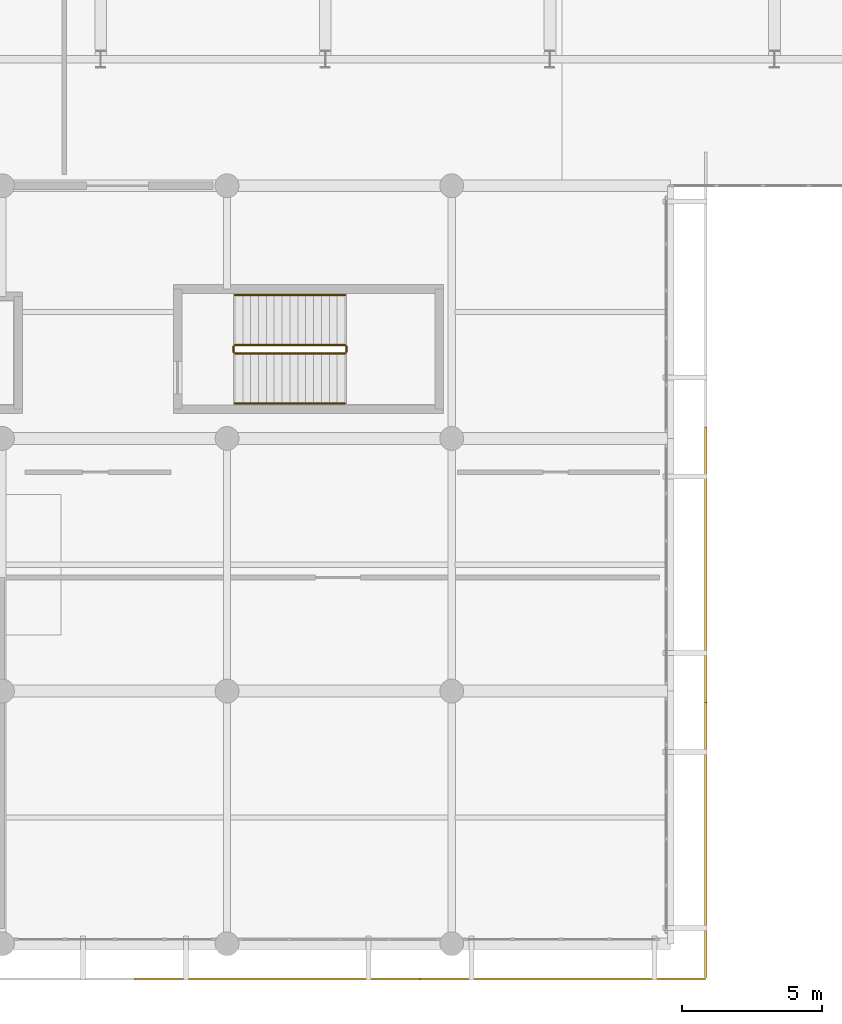
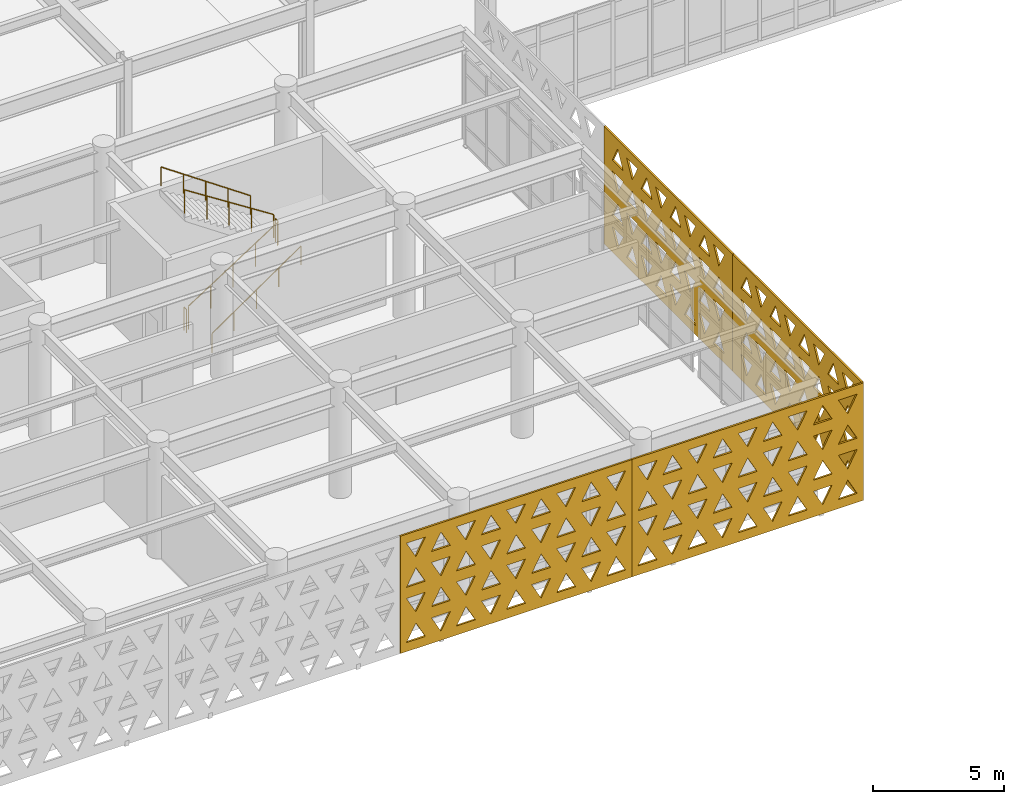
# One storey, part 78 of 84: 6 railings, 4 coverings.
"""IFC4 building model written with IfcOpenShell, lengths in metres."""

from ifc_helpers import new_model, si_unit, direction, frame, origin, origin_2d, place, context, subcontext, project, spatial, polyline, circle, outline, extrude, material, layer, layer_set, type_object, element, save


model = new_model("IFC4")

# Units and contexts
model_context = context("Model", 3, precision=1e-05, world=origin(), true_north=direction((0.0, 1.0)))
body_context = subcontext(model_context, "Body", "Model", "MODEL_VIEW")
ifc_project = project(units=[si_unit("LENGTHUNIT", "METRE"), si_unit("AREAUNIT", "SQUARE_METRE"), si_unit("VOLUMEUNIT", "CUBIC_METRE"), si_unit("PLANEANGLEUNIT", "RADIAN"), si_unit("MASSUNIT", "GRAM", prefix="KILO")], contexts=[model_context])

# Site, building, storey
site_placement = place(None, origin())
site = spatial("IfcSite", under=ifc_project, at=site_placement, CompositionType="ELEMENT")
building_placement = place(site_placement, origin())
building = spatial("IfcBuilding", under=site, at=building_placement, Name="Tlacozan Convention Centre", CompositionType="ELEMENT")
storey_placement = place(building_placement, frame((0.0, 0.0, 6.0)))
storey = spatial("IfcBuildingStorey", under=building, at=storey_placement, Name="L01", CompositionType="ELEMENT", Elevation=6.0)

# Railings
ifc_material_1 = material(Name="Architectural Painted Galvanised Steel Railing", Category="steel")
railing_type_1 = type_object("IfcRailingType", Name="Stair Wall Handrail 900", PredefinedType="HANDRAIL", material=ifc_material_1)
railing_1_placement = place(storey_placement, frame((104.280029296875, 19.25, 0.179931640625)))
element("IfcRailing", 1, at=railing_1_placement, inside=storey, type_object=railing_type_1, Name="L01 ST-05 stair handrail 1", PredefinedType="HANDRAIL", context=body_context, shape_type="SweptSolid", body=[
    extrude(circle(Radius=0.02392578125, at=origin_2d()), frame((0.0, 0.0, 0.8759765625), z_axis=(0.823550731654, 0.0, 0.567242622158), x_axis=(0.0, 1.0, 0.0)), (0.0, 0.0, 1.0), 4.759765625),
    extrude(circle(Radius=0.02099609375, at=origin_2d()), origin(), (0.0, 0.0, 1.0), 0.851806640625),
    extrude(circle(Radius=0.02099609375, at=origin_2d()), frame((0.97998046875, 0.0, 0.675048828125)), (0.0, 0.0, 1.0), 0.851806640625),
    extrude(circle(Radius=0.02099609375, at=origin_2d()), frame((1.9599609375, 0.0, 1.35009765625)), (0.0, 0.0, 1.0), 0.851806640625),
    extrude(circle(Radius=0.02099609375, at=origin_2d()), frame((2.93994140625, 0.0, 2.02490234375)), (0.0, 0.0, 1.0), 0.851806640625),
    extrude(circle(Radius=0.02099609375, at=origin_2d()), frame((3.919921875, 0.0, 2.699951171875)), (0.0, 0.0, 1.0), 0.851806640625),
])
railing_2_placement = place(storey_placement, frame((108.199951171875, 23.110107421875, 2.8798828125)))
element("IfcRailing", 2, at=railing_2_placement, inside=storey, type_object=railing_type_1, Name="L01 ST-05 stair handrail 2", PredefinedType="HANDRAIL", context=body_context, shape_type="SweptSolid", body=[
    extrude(circle(Radius=0.02392578125, at=origin_2d()), frame((0.0, 0.0, 0.8759765625), z_axis=(-0.823526770215, 0.0, 0.56727740898), x_axis=(0.0, -1.0, 0.0)), (0.0, 0.0, 1.0), 4.760009765625),
    extrude(circle(Radius=0.02099609375, at=origin_2d()), origin(), (0.0, 0.0, 1.0), 0.851806640625),
    extrude(circle(Radius=0.02099609375, at=origin_2d()), frame((-0.97998046875, 0.0, 0.675048828125)), (0.0, 0.0, 1.0), 0.851806640625),
    extrude(circle(Radius=0.02099609375, at=origin_2d()), frame((-1.9599609375, 0.0, 1.35009765625)), (0.0, 0.0, 1.0), 0.851806640625),
    extrude(circle(Radius=0.02099609375, at=origin_2d()), frame((-2.93994140625, 0.0, 2.025146484375)), (0.0, 0.0, 1.0), 0.851806640625),
    extrude(circle(Radius=0.02099609375, at=origin_2d()), frame((-3.919921875, 0.0, 2.7001953125)), (0.0, 0.0, 1.0), 0.851806640625),
])
railing_type_2 = type_object("IfcRailingType", Name="Stair Well Guardrail 1100", PredefinedType="GUARDRAIL", material=ifc_material_1)
railing_3_placement = place(storey_placement, frame((104.280029296875, 21.030029296875, 0.179931640625)))
element("IfcRailing", 3, at=railing_3_placement, inside=storey, type_object=railing_type_2, Name="L01 ST-05 stair guard 1", PredefinedType="GUARDRAIL", context=body_context, shape_type="SweptSolid", body=[
    extrude(circle(Radius=0.02392578125, at=origin_2d()), frame((0.0, 0.0, 1.076171875), z_axis=(0.841171666519, 0.0, 0.540768182723), x_axis=(0.0, 1.0, 0.0)), (0.0, 0.0, 1.0), 4.66015625),
    extrude(circle(Radius=0.02099609375, at=origin_2d()), origin(), (0.0, 0.0, 1.0), 1.052001953125),
    extrude(circle(Radius=0.02099609375, at=origin_2d()), frame((0.97998046875, 0.0, 0.6298828125)), (0.0, 0.0, 1.0), 1.052001953125),
    extrude(circle(Radius=0.02099609375, at=origin_2d()), frame((1.9599609375, 0.0, 1.260009765625)), (0.0, 0.0, 1.0), 1.052001953125),
    extrude(circle(Radius=0.02099609375, at=origin_2d()), frame((2.93994140625, 0.0, 1.89013671875)), (0.0, 0.0, 1.0), 1.052001953125),
    extrude(circle(Radius=0.02099609375, at=origin_2d()), frame((3.919921875, 0.0, 2.52001953125)), (0.0, 0.0, 1.0), 1.052001953125),
])
railing_4_placement = place(storey_placement, frame((108.25, 21.080078125, 2.699951171875)))
element("IfcRailing", 4, at=railing_4_placement, inside=storey, type_object=railing_type_2, Name="L01 ST-05 stair guard 2", PredefinedType="GUARDRAIL", context=body_context, shape_type="SweptSolid", body=[
    extrude(circle(Radius=0.02392578125, at=origin_2d()), frame((0.0, 0.0, 1.076171875), z_axis=(0.0, 1.0, 0.0), x_axis=(-1.0, 0.0, 0.0)), (0.0, 0.0, 1.0), 0.199951171875),
    extrude(circle(Radius=0.02099609375, at=origin_2d()), origin(), (0.0, 0.0, 1.0), 1.052001953125),
    extrude(circle(Radius=0.02099609375, at=origin_2d()), frame((0.0, 0.199951171875, 0.0)), (0.0, 0.0, 1.0), 1.052001953125),
])
railing_5_placement = place(storey_placement, frame((108.199951171875, 21.330078125, 2.8798828125)))
element("IfcRailing", 5, at=railing_5_placement, inside=storey, type_object=railing_type_2, Name="L01 ST-05 stair guard 3", PredefinedType="GUARDRAIL", context=body_context, shape_type="SweptSolid", body=[
    extrude(circle(Radius=0.02392578125, at=origin_2d()), frame((0.0, 0.0, 1.076171875), z_axis=(-0.841171666519, 0.0, 0.540768182723), x_axis=(0.0, -1.0, 0.0)), (0.0, 0.0, 1.0), 4.66015625),
    extrude(circle(Radius=0.02099609375, at=origin_2d()), origin(), (0.0, 0.0, 1.0), 1.052001953125),
    extrude(circle(Radius=0.02099609375, at=origin_2d()), frame((-0.97998046875, 0.0, 0.6298828125)), (0.0, 0.0, 1.0), 1.052001953125),
    extrude(circle(Radius=0.02099609375, at=origin_2d()), frame((-1.9599609375, 0.0, 1.260009765625)), (0.0, 0.0, 1.0), 1.052001953125),
    extrude(circle(Radius=0.02099609375, at=origin_2d()), frame((-2.93994140625, 0.0, 1.89013671875)), (0.0, 0.0, 1.0), 1.052001953125),
    extrude(circle(Radius=0.02099609375, at=origin_2d()), frame((-3.919921875, 0.0, 2.52001953125)), (0.0, 0.0, 1.0), 1.052001953125),
])
railing_6_placement = place(storey_placement, frame((104.22998046875, 21.080078125, 0.0)))
element("IfcRailing", 6, at=railing_6_placement, inside=storey, type_object=railing_type_2, Name="L01 ST-05 stair guard 4", PredefinedType="GUARDRAIL", context=body_context, shape_type="SweptSolid", body=[
    extrude(circle(Radius=0.02392578125, at=origin_2d()), frame((0.0, 0.0, 1.076171875), z_axis=(0.0, 1.0, 0.0), x_axis=(-1.0, 0.0, 0.0)), (0.0, 0.0, 1.0), 0.199951171875),
    extrude(circle(Radius=0.02099609375, at=origin_2d()), origin(), (0.0, 0.0, 1.0), 1.052001953125),
    extrude(circle(Radius=0.02099609375, at=origin_2d()), frame((0.0, 0.199951171875, 0.0)), (0.0, 0.0, 1.0), 1.052001953125),
])

# Coverings
ifc_material_2 = material(Name="Toluca Fired Terracotta Masonry Solar Screen", Category="masonry")
ifc_layer = layer(ifc_material_2, 0.080078125)
ifc_layer_set = layer_set([ifc_layer], Name="Toluca Fired Terracotta Masonry Solar Screen")
covering_type = type_object("IfcCoveringType", Name="Terracotta Triangle Solar Screen 80", PredefinedType="USERDEFINED", material=ifc_layer_set)
covering_1_placement = place(storey_placement, frame((100.701904296875, -1.25, -0.10009765625), z_axis=(0.0, 0.0, 1.0), x_axis=(1.0, 0.0, 0.0)))
element("IfcCovering", 7, at=covering_1_placement, inside=storey, type_object=covering_type, Name="L01 Terracotta Triangle Screen 11", ObjectType="SCREEN", PredefinedType="USERDEFINED", context=body_context, shape_type="SweptSolid", body=[
    extrude(outline(polyline([(0.0, 0.0), (10.171142578125, 0.0), (10.171142578125, 5.4501953125), (0.0, 5.4501953125), (0.0, 0.0)]), holes=[polyline([(0.271484375, 0.41796875), (1.099609375, 0.41796875), (0.685546875, 1.1845703125), (0.271484375, 0.41796875)]), polyline([(1.37158203125, 1.1845703125), (2.19970703125, 1.1845703125), (1.78564453125, 0.41796875), (1.37158203125, 1.1845703125)]), polyline([(2.471435546875, 0.41796875), (3.299560546875, 0.41796875), (2.885498046875, 1.1845703125), (2.471435546875, 0.41796875)]), polyline([(3.571533203125, 1.1845703125), (4.399658203125, 1.1845703125), (3.985595703125, 0.41796875), (3.571533203125, 1.1845703125)]), polyline([(4.671630859375, 0.41796875), (5.49951171875, 0.41796875), (5.08544921875, 1.1845703125), (4.671630859375, 0.41796875)]), polyline([(5.771484375, 1.1845703125), (6.599609375, 1.1845703125), (6.185546875, 0.41796875), (5.771484375, 1.1845703125)]), polyline([(6.87158203125, 0.41796875), (7.69970703125, 0.41796875), (7.28564453125, 1.1845703125), (6.87158203125, 0.41796875)]), polyline([(7.971435546875, 1.1845703125), (8.799560546875, 1.1845703125), (8.385498046875, 0.41796875), (7.971435546875, 1.1845703125)]), polyline([(9.071533203125, 0.41796875), (9.899658203125, 0.41796875), (9.485595703125, 1.1845703125), (9.071533203125, 0.41796875)]), polyline([(0.271484375, 2.46728515625), (1.099609375, 2.46728515625), (0.685546875, 1.700439453125), (0.271484375, 2.46728515625)]), polyline([(1.37158203125, 1.700439453125), (2.19970703125, 1.700439453125), (1.78564453125, 2.46728515625), (1.37158203125, 1.700439453125)]), polyline([(2.471435546875, 2.46728515625), (3.299560546875, 2.46728515625), (2.885498046875, 1.700439453125), (2.471435546875, 2.46728515625)]), polyline([(3.571533203125, 1.700439453125), (4.399658203125, 1.700439453125), (3.985595703125, 2.46728515625), (3.571533203125, 1.700439453125)]), polyline([(4.671630859375, 2.46728515625), (5.49951171875, 2.46728515625), (5.08544921875, 1.700439453125), (4.671630859375, 2.46728515625)]), polyline([(5.771484375, 1.700439453125), (6.599609375, 1.700439453125), (6.185546875, 2.46728515625), (5.771484375, 1.700439453125)]), polyline([(6.87158203125, 2.46728515625), (7.69970703125, 2.46728515625), (7.28564453125, 1.700439453125), (6.87158203125, 2.46728515625)]), polyline([(7.971435546875, 1.700439453125), (8.799560546875, 1.700439453125), (8.385498046875, 2.46728515625), (7.971435546875, 1.700439453125)]), polyline([(9.071533203125, 2.46728515625), (9.899658203125, 2.46728515625), (9.485595703125, 1.700439453125), (9.071533203125, 2.46728515625)]), polyline([(0.271484375, 2.98291015625), (1.099609375, 2.98291015625), (0.685546875, 3.749755859375), (0.271484375, 2.98291015625)]), polyline([(1.37158203125, 3.749755859375), (2.19970703125, 3.749755859375), (1.78564453125, 2.98291015625), (1.37158203125, 3.749755859375)]), polyline([(2.471435546875, 2.98291015625), (3.299560546875, 2.98291015625), (2.885498046875, 3.749755859375), (2.471435546875, 2.98291015625)]), polyline([(3.571533203125, 3.749755859375), (4.399658203125, 3.749755859375), (3.985595703125, 2.98291015625), (3.571533203125, 3.749755859375)]), polyline([(4.671630859375, 2.98291015625), (5.49951171875, 2.98291015625), (5.08544921875, 3.749755859375), (4.671630859375, 2.98291015625)]), polyline([(5.771484375, 3.749755859375), (6.599609375, 3.749755859375), (6.185546875, 2.98291015625), (5.771484375, 3.749755859375)]), polyline([(6.87158203125, 2.98291015625), (7.69970703125, 2.98291015625), (7.28564453125, 3.749755859375), (6.87158203125, 2.98291015625)]), polyline([(7.971435546875, 3.749755859375), (8.799560546875, 3.749755859375), (8.385498046875, 2.98291015625), (7.971435546875, 3.749755859375)]), polyline([(9.071533203125, 2.98291015625), (9.899658203125, 2.98291015625), (9.485595703125, 3.749755859375), (9.071533203125, 2.98291015625)]), polyline([(0.271484375, 5.0322265625), (1.099609375, 5.0322265625), (0.685546875, 4.265625), (0.271484375, 5.0322265625)]), polyline([(1.37158203125, 4.265625), (2.19970703125, 4.265625), (1.78564453125, 5.0322265625), (1.37158203125, 4.265625)]), polyline([(2.471435546875, 5.0322265625), (3.299560546875, 5.0322265625), (2.885498046875, 4.265625), (2.471435546875, 5.0322265625)]), polyline([(3.571533203125, 4.265625), (4.399658203125, 4.265625), (3.985595703125, 5.0322265625), (3.571533203125, 4.265625)]), polyline([(4.671630859375, 5.0322265625), (5.49951171875, 5.0322265625), (5.08544921875, 4.265625), (4.671630859375, 5.0322265625)]), polyline([(5.771484375, 4.265625), (6.599609375, 4.265625), (6.185546875, 5.0322265625), (5.771484375, 4.265625)]), polyline([(6.87158203125, 5.0322265625), (7.69970703125, 5.0322265625), (7.28564453125, 4.265625), (6.87158203125, 5.0322265625)]), polyline([(7.971435546875, 4.265625), (8.799560546875, 4.265625), (8.385498046875, 5.0322265625), (7.971435546875, 4.265625)]), polyline([(9.071533203125, 5.0322265625), (9.899658203125, 5.0322265625), (9.485595703125, 4.265625), (9.071533203125, 5.0322265625)])]), frame((0.0, 0.0400390625, 0.0), z_axis=(0.0, -1.0, 0.0), x_axis=(1.0, 0.0, 0.0)), (0.0, 0.0, 1.0), 0.080078125),
])
covering_2_placement = place(storey_placement, frame((110.876953125, -1.25, -0.10009765625), z_axis=(0.0, 0.0, 1.0), x_axis=(1.0, 0.0, 0.0)))
element("IfcCovering", 8, at=covering_2_placement, inside=storey, type_object=covering_type, Name="L01 Terracotta Triangle Screen 12", ObjectType="SCREEN", PredefinedType="USERDEFINED", context=body_context, shape_type="SweptSolid", body=[
    extrude(outline(polyline([(0.0, 0.0), (10.171142578125, 0.0), (10.171142578125, 5.4501953125), (0.0, 5.4501953125), (0.0, 0.0)]), holes=[polyline([(0.271484375, 0.41796875), (1.099609375, 0.41796875), (0.685546875, 1.1845703125), (0.271484375, 0.41796875)]), polyline([(1.37158203125, 1.1845703125), (2.19970703125, 1.1845703125), (1.78564453125, 0.41796875), (1.37158203125, 1.1845703125)]), polyline([(2.471435546875, 0.41796875), (3.299560546875, 0.41796875), (2.885498046875, 1.1845703125), (2.471435546875, 0.41796875)]), polyline([(3.571533203125, 1.1845703125), (4.399658203125, 1.1845703125), (3.985595703125, 0.41796875), (3.571533203125, 1.1845703125)]), polyline([(4.671630859375, 0.41796875), (5.49951171875, 0.41796875), (5.08544921875, 1.1845703125), (4.671630859375, 0.41796875)]), polyline([(5.771484375, 1.1845703125), (6.599609375, 1.1845703125), (6.185546875, 0.41796875), (5.771484375, 1.1845703125)]), polyline([(6.87158203125, 0.41796875), (7.69970703125, 0.41796875), (7.28564453125, 1.1845703125), (6.87158203125, 0.41796875)]), polyline([(7.971435546875, 1.1845703125), (8.799560546875, 1.1845703125), (8.385498046875, 0.41796875), (7.971435546875, 1.1845703125)]), polyline([(9.071533203125, 0.41796875), (9.899658203125, 0.41796875), (9.485595703125, 1.1845703125), (9.071533203125, 0.41796875)]), polyline([(0.271484375, 2.46728515625), (1.099609375, 2.46728515625), (0.685546875, 1.700439453125), (0.271484375, 2.46728515625)]), polyline([(1.37158203125, 1.700439453125), (2.19970703125, 1.700439453125), (1.78564453125, 2.46728515625), (1.37158203125, 1.700439453125)]), polyline([(2.471435546875, 2.46728515625), (3.299560546875, 2.46728515625), (2.885498046875, 1.700439453125), (2.471435546875, 2.46728515625)]), polyline([(3.571533203125, 1.700439453125), (4.399658203125, 1.700439453125), (3.985595703125, 2.46728515625), (3.571533203125, 1.700439453125)]), polyline([(4.671630859375, 2.46728515625), (5.49951171875, 2.46728515625), (5.08544921875, 1.700439453125), (4.671630859375, 2.46728515625)]), polyline([(5.771484375, 1.700439453125), (6.599609375, 1.700439453125), (6.185546875, 2.46728515625), (5.771484375, 1.700439453125)]), polyline([(6.87158203125, 2.46728515625), (7.69970703125, 2.46728515625), (7.28564453125, 1.700439453125), (6.87158203125, 2.46728515625)]), polyline([(7.971435546875, 1.700439453125), (8.799560546875, 1.700439453125), (8.385498046875, 2.46728515625), (7.971435546875, 1.700439453125)]), polyline([(9.071533203125, 2.46728515625), (9.899658203125, 2.46728515625), (9.485595703125, 1.700439453125), (9.071533203125, 2.46728515625)]), polyline([(0.271484375, 2.98291015625), (1.099609375, 2.98291015625), (0.685546875, 3.749755859375), (0.271484375, 2.98291015625)]), polyline([(1.37158203125, 3.749755859375), (2.19970703125, 3.749755859375), (1.78564453125, 2.98291015625), (1.37158203125, 3.749755859375)]), polyline([(2.471435546875, 2.98291015625), (3.299560546875, 2.98291015625), (2.885498046875, 3.749755859375), (2.471435546875, 2.98291015625)]), polyline([(3.571533203125, 3.749755859375), (4.399658203125, 3.749755859375), (3.985595703125, 2.98291015625), (3.571533203125, 3.749755859375)]), polyline([(4.671630859375, 2.98291015625), (5.49951171875, 2.98291015625), (5.08544921875, 3.749755859375), (4.671630859375, 2.98291015625)]), polyline([(5.771484375, 3.749755859375), (6.599609375, 3.749755859375), (6.185546875, 2.98291015625), (5.771484375, 3.749755859375)]), polyline([(6.87158203125, 2.98291015625), (7.69970703125, 2.98291015625), (7.28564453125, 3.749755859375), (6.87158203125, 2.98291015625)]), polyline([(7.971435546875, 3.749755859375), (8.799560546875, 3.749755859375), (8.385498046875, 2.98291015625), (7.971435546875, 3.749755859375)]), polyline([(9.071533203125, 2.98291015625), (9.899658203125, 2.98291015625), (9.485595703125, 3.749755859375), (9.071533203125, 2.98291015625)]), polyline([(0.271484375, 5.0322265625), (1.099609375, 5.0322265625), (0.685546875, 4.265625), (0.271484375, 5.0322265625)]), polyline([(1.37158203125, 4.265625), (2.19970703125, 4.265625), (1.78564453125, 5.0322265625), (1.37158203125, 4.265625)]), polyline([(2.471435546875, 5.0322265625), (3.299560546875, 5.0322265625), (2.885498046875, 4.265625), (2.471435546875, 5.0322265625)]), polyline([(3.571533203125, 4.265625), (4.399658203125, 4.265625), (3.985595703125, 5.0322265625), (3.571533203125, 4.265625)]), polyline([(4.671630859375, 5.0322265625), (5.49951171875, 5.0322265625), (5.08544921875, 4.265625), (4.671630859375, 5.0322265625)]), polyline([(5.771484375, 4.265625), (6.599609375, 4.265625), (6.185546875, 5.0322265625), (5.771484375, 4.265625)]), polyline([(6.87158203125, 5.0322265625), (7.69970703125, 5.0322265625), (7.28564453125, 4.265625), (6.87158203125, 5.0322265625)]), polyline([(7.971435546875, 4.265625), (8.799560546875, 4.265625), (8.385498046875, 5.0322265625), (7.971435546875, 4.265625)]), polyline([(9.071533203125, 5.0322265625), (9.899658203125, 5.0322265625), (9.485595703125, 4.265625), (9.071533203125, 5.0322265625)])]), frame((0.0, 0.0400390625, 0.0), z_axis=(0.0, -1.0, 0.0), x_axis=(1.0, 0.0, 0.0)), (0.0, 0.0, 1.0), 0.080078125),
])
covering_3_placement = place(storey_placement, frame((121.050048828125, -1.205078125, -0.10009765625), z_axis=(0.0, 0.0, 1.0), x_axis=(0.0, 1.0, 0.0)))
element("IfcCovering", 9, at=covering_3_placement, inside=storey, type_object=covering_type, Name="L01 Terracotta Triangle Screen 16", ObjectType="SCREEN", PredefinedType="USERDEFINED", context=body_context, shape_type="SweptSolid", body=[
    extrude(outline(polyline([(0.0, 0.0), (9.80078125, 0.0), (9.80078125, 5.4501953125), (0.0, 5.4501953125), (0.0, 0.0)]), holes=[polyline([(0.636474609375, 0.41796875), (1.46435546875, 0.41796875), (1.05029296875, 1.1845703125), (0.636474609375, 0.41796875)]), polyline([(1.736328125, 1.1845703125), (2.564453125, 1.1845703125), (2.150390625, 0.41796875), (1.736328125, 1.1845703125)]), polyline([(2.83642578125, 0.41796875), (3.664306640625, 0.41796875), (3.25048828125, 1.1845703125), (2.83642578125, 0.41796875)]), polyline([(3.936279296875, 1.1845703125), (4.764404296875, 1.1845703125), (4.350341796875, 0.41796875), (3.936279296875, 1.1845703125)]), polyline([(5.036376953125, 0.41796875), (5.864501953125, 0.41796875), (5.450439453125, 1.1845703125), (5.036376953125, 0.41796875)]), polyline([(6.136474609375, 1.1845703125), (6.96435546875, 1.1845703125), (6.55029296875, 0.41796875), (6.136474609375, 1.1845703125)]), polyline([(7.236328125, 0.41796875), (8.064453125, 0.41796875), (7.650390625, 1.1845703125), (7.236328125, 0.41796875)]), polyline([(8.33642578125, 1.1845703125), (9.164306640625, 1.1845703125), (8.75048828125, 0.41796875), (8.33642578125, 1.1845703125)]), polyline([(0.636474609375, 2.46728515625), (1.46435546875, 2.46728515625), (1.05029296875, 1.700439453125), (0.636474609375, 2.46728515625)]), polyline([(1.736328125, 1.700439453125), (2.564453125, 1.700439453125), (2.150390625, 2.46728515625), (1.736328125, 1.700439453125)]), polyline([(2.83642578125, 2.46728515625), (3.664306640625, 2.46728515625), (3.25048828125, 1.700439453125), (2.83642578125, 2.46728515625)]), polyline([(3.936279296875, 1.700439453125), (4.764404296875, 1.700439453125), (4.350341796875, 2.46728515625), (3.936279296875, 1.700439453125)]), polyline([(5.036376953125, 2.46728515625), (5.864501953125, 2.46728515625), (5.450439453125, 1.700439453125), (5.036376953125, 2.46728515625)]), polyline([(6.136474609375, 1.700439453125), (6.96435546875, 1.700439453125), (6.55029296875, 2.46728515625), (6.136474609375, 1.700439453125)]), polyline([(7.236328125, 2.46728515625), (8.064453125, 2.46728515625), (7.650390625, 1.700439453125), (7.236328125, 2.46728515625)]), polyline([(8.33642578125, 1.700439453125), (9.164306640625, 1.700439453125), (8.75048828125, 2.46728515625), (8.33642578125, 1.700439453125)]), polyline([(0.636474609375, 2.98291015625), (1.46435546875, 2.98291015625), (1.05029296875, 3.749755859375), (0.636474609375, 2.98291015625)]), polyline([(1.736328125, 3.749755859375), (2.564453125, 3.749755859375), (2.150390625, 2.98291015625), (1.736328125, 3.749755859375)]), polyline([(2.83642578125, 2.98291015625), (3.664306640625, 2.98291015625), (3.25048828125, 3.749755859375), (2.83642578125, 2.98291015625)]), polyline([(3.936279296875, 3.749755859375), (4.764404296875, 3.749755859375), (4.350341796875, 2.98291015625), (3.936279296875, 3.749755859375)]), polyline([(5.036376953125, 2.98291015625), (5.864501953125, 2.98291015625), (5.450439453125, 3.749755859375), (5.036376953125, 2.98291015625)]), polyline([(6.136474609375, 3.749755859375), (6.96435546875, 3.749755859375), (6.55029296875, 2.98291015625), (6.136474609375, 3.749755859375)]), polyline([(7.236328125, 2.98291015625), (8.064453125, 2.98291015625), (7.650390625, 3.749755859375), (7.236328125, 2.98291015625)]), polyline([(8.33642578125, 3.749755859375), (9.164306640625, 3.749755859375), (8.75048828125, 2.98291015625), (8.33642578125, 3.749755859375)]), polyline([(0.636474609375, 5.0322265625), (1.46435546875, 5.0322265625), (1.05029296875, 4.265625), (0.636474609375, 5.0322265625)]), polyline([(1.736328125, 4.265625), (2.564453125, 4.265625), (2.150390625, 5.0322265625), (1.736328125, 4.265625)]), polyline([(2.83642578125, 5.0322265625), (3.664306640625, 5.0322265625), (3.25048828125, 4.265625), (2.83642578125, 5.0322265625)]), polyline([(3.936279296875, 4.265625), (4.764404296875, 4.265625), (4.350341796875, 5.0322265625), (3.936279296875, 4.265625)]), polyline([(5.036376953125, 5.0322265625), (5.864501953125, 5.0322265625), (5.450439453125, 4.265625), (5.036376953125, 5.0322265625)]), polyline([(6.136474609375, 4.265625), (6.96435546875, 4.265625), (6.55029296875, 5.0322265625), (6.136474609375, 4.265625)]), polyline([(7.236328125, 5.0322265625), (8.064453125, 5.0322265625), (7.650390625, 4.265625), (7.236328125, 5.0322265625)]), polyline([(8.33642578125, 4.265625), (9.164306640625, 4.265625), (8.75048828125, 5.0322265625), (8.33642578125, 4.265625)])]), frame((0.0, 0.0400390625, 0.0), z_axis=(0.0, -1.0, 0.0), x_axis=(1.0, 0.0, 0.0)), (0.0, 0.0, 1.0), 0.080078125),
])
covering_4_placement = place(storey_placement, frame((121.050048828125, 8.599609375, -0.10009765625), z_axis=(0.0, 0.0, 1.0), x_axis=(0.0, 1.0, 0.0)))
element("IfcCovering", 10, at=covering_4_placement, inside=storey, type_object=covering_type, Name="L01 Terracotta Triangle Screen 17", ObjectType="SCREEN", PredefinedType="USERDEFINED", context=body_context, shape_type="SweptSolid", body=[
    extrude(outline(polyline([(0.0, 0.0), (9.80078125, 0.0), (9.80078125, 5.4501953125), (0.0, 5.4501953125), (0.0, 0.0)]), holes=[polyline([(0.636474609375, 0.41796875), (1.46435546875, 0.41796875), (1.05029296875, 1.1845703125), (0.636474609375, 0.41796875)]), polyline([(1.736328125, 1.1845703125), (2.564453125, 1.1845703125), (2.150390625, 0.41796875), (1.736328125, 1.1845703125)]), polyline([(2.83642578125, 0.41796875), (3.664306640625, 0.41796875), (3.25048828125, 1.1845703125), (2.83642578125, 0.41796875)]), polyline([(3.936279296875, 1.1845703125), (4.764404296875, 1.1845703125), (4.350341796875, 0.41796875), (3.936279296875, 1.1845703125)]), polyline([(5.036376953125, 0.41796875), (5.864501953125, 0.41796875), (5.450439453125, 1.1845703125), (5.036376953125, 0.41796875)]), polyline([(6.136474609375, 1.1845703125), (6.96435546875, 1.1845703125), (6.55029296875, 0.41796875), (6.136474609375, 1.1845703125)]), polyline([(7.236328125, 0.41796875), (8.064453125, 0.41796875), (7.650390625, 1.1845703125), (7.236328125, 0.41796875)]), polyline([(8.33642578125, 1.1845703125), (9.164306640625, 1.1845703125), (8.75048828125, 0.41796875), (8.33642578125, 1.1845703125)]), polyline([(0.636474609375, 2.46728515625), (1.46435546875, 2.46728515625), (1.05029296875, 1.700439453125), (0.636474609375, 2.46728515625)]), polyline([(1.736328125, 1.700439453125), (2.564453125, 1.700439453125), (2.150390625, 2.46728515625), (1.736328125, 1.700439453125)]), polyline([(2.83642578125, 2.46728515625), (3.664306640625, 2.46728515625), (3.25048828125, 1.700439453125), (2.83642578125, 2.46728515625)]), polyline([(3.936279296875, 1.700439453125), (4.764404296875, 1.700439453125), (4.350341796875, 2.46728515625), (3.936279296875, 1.700439453125)]), polyline([(5.036376953125, 2.46728515625), (5.864501953125, 2.46728515625), (5.450439453125, 1.700439453125), (5.036376953125, 2.46728515625)]), polyline([(6.136474609375, 1.700439453125), (6.96435546875, 1.700439453125), (6.55029296875, 2.46728515625), (6.136474609375, 1.700439453125)]), polyline([(7.236328125, 2.46728515625), (8.064453125, 2.46728515625), (7.650390625, 1.700439453125), (7.236328125, 2.46728515625)]), polyline([(8.33642578125, 1.700439453125), (9.164306640625, 1.700439453125), (8.75048828125, 2.46728515625), (8.33642578125, 1.700439453125)]), polyline([(0.636474609375, 2.98291015625), (1.46435546875, 2.98291015625), (1.05029296875, 3.749755859375), (0.636474609375, 2.98291015625)]), polyline([(1.736328125, 3.749755859375), (2.564453125, 3.749755859375), (2.150390625, 2.98291015625), (1.736328125, 3.749755859375)]), polyline([(2.83642578125, 2.98291015625), (3.664306640625, 2.98291015625), (3.25048828125, 3.749755859375), (2.83642578125, 2.98291015625)]), polyline([(3.936279296875, 3.749755859375), (4.764404296875, 3.749755859375), (4.350341796875, 2.98291015625), (3.936279296875, 3.749755859375)]), polyline([(5.036376953125, 2.98291015625), (5.864501953125, 2.98291015625), (5.450439453125, 3.749755859375), (5.036376953125, 2.98291015625)]), polyline([(6.136474609375, 3.749755859375), (6.96435546875, 3.749755859375), (6.55029296875, 2.98291015625), (6.136474609375, 3.749755859375)]), polyline([(7.236328125, 2.98291015625), (8.064453125, 2.98291015625), (7.650390625, 3.749755859375), (7.236328125, 2.98291015625)]), polyline([(8.33642578125, 3.749755859375), (9.164306640625, 3.749755859375), (8.75048828125, 2.98291015625), (8.33642578125, 3.749755859375)]), polyline([(0.636474609375, 5.0322265625), (1.46435546875, 5.0322265625), (1.05029296875, 4.265625), (0.636474609375, 5.0322265625)]), polyline([(1.736328125, 4.265625), (2.564453125, 4.265625), (2.150390625, 5.0322265625), (1.736328125, 4.265625)]), polyline([(2.83642578125, 5.0322265625), (3.664306640625, 5.0322265625), (3.25048828125, 4.265625), (2.83642578125, 5.0322265625)]), polyline([(3.936279296875, 4.265625), (4.764404296875, 4.265625), (4.350341796875, 5.0322265625), (3.936279296875, 4.265625)]), polyline([(5.036376953125, 5.0322265625), (5.864501953125, 5.0322265625), (5.450439453125, 4.265625), (5.036376953125, 5.0322265625)]), polyline([(6.136474609375, 4.265625), (6.96435546875, 4.265625), (6.55029296875, 5.0322265625), (6.136474609375, 4.265625)]), polyline([(7.236328125, 5.0322265625), (8.064453125, 5.0322265625), (7.650390625, 4.265625), (7.236328125, 5.0322265625)]), polyline([(8.33642578125, 4.265625), (9.164306640625, 4.265625), (8.75048828125, 5.0322265625), (8.33642578125, 4.265625)])]), frame((0.0, 0.0400390625, 0.0), z_axis=(0.0, -1.0, 0.0), x_axis=(1.0, 0.0, 0.0)), (0.0, 0.0, 1.0), 0.080078125),
])

save(model, "model.ifc")
